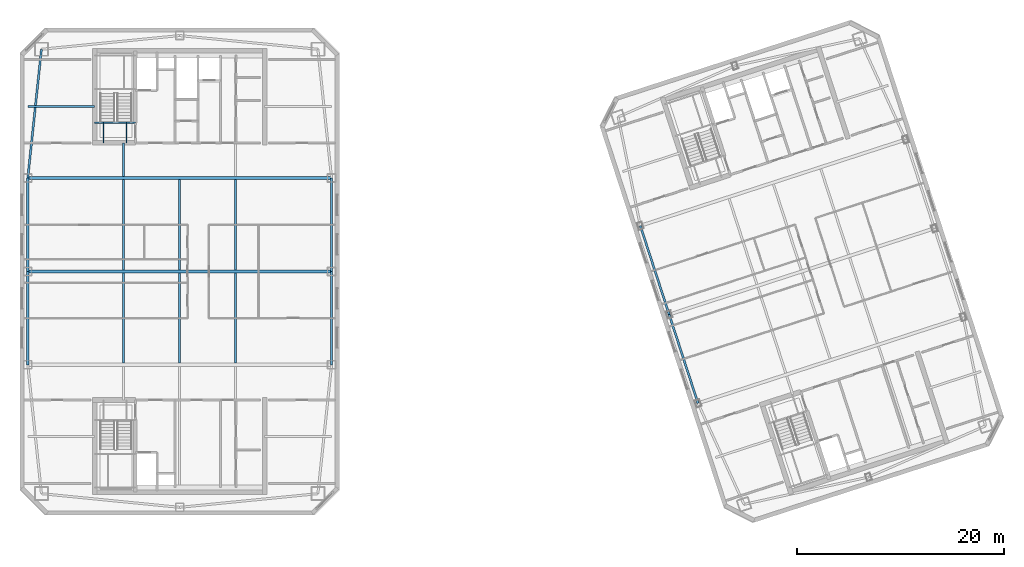
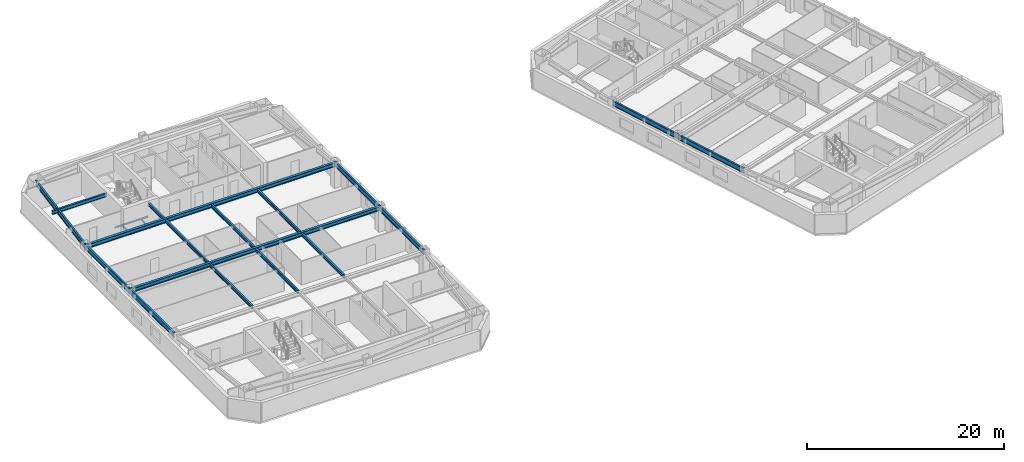
# One storey, part 5 of 20: 20 beams.
"""IFC4 building model written with IfcOpenShell, lengths in metres."""

import ifcopenshell
import ifcopenshell.guid

model = None  # the IFC model being written
_history = None  # IfcOwnerHistory: only IFC2X3 demands one
_inside = {}  # id of a spatial element -> (the spatial element, [elements in it])
_under = {}  # id of a project, library or spatial element -> (it, [spatial elements below it])
_declared = {}  # id of a project -> (the project, [libraries it declares])
_typed = {}  # id of a type object -> (the type object, [elements of that type])
_made_of = {}  # id of a material, layer set ... -> (it, [elements and type objects made of it])


def new_model(schema):
    """Start an empty IFC model of exactly this schema.

    Asked for "IFC4X3", IfcOpenShell would pick the latest addendum, in which some entities
    have other attributes; the version numbers below select the first issue.
    IFC2X3 requires an IfcOwnerHistory on every rooted entity: one is made here for all.
    """
    global model, _history
    if schema == "IFC4X3":
        model = ifcopenshell.file(schema_version=(4, 3, 0, 0))
    else:
        model = ifcopenshell.file(schema=schema)
    _inside.clear()
    _under.clear()
    _declared.clear()
    _typed.clear()
    _made_of.clear()
    _history = None
    if model.schema == "IFC2X3":
        org = make("IfcOrganization", Name="unknown")
        user = make(
            "IfcPersonAndOrganization",
            ThePerson=make("IfcPerson", FamilyName="unknown"),
            TheOrganization=org,
        )
        app = make(
            "IfcApplication",
            ApplicationDeveloper=org,
            Version="unknown",
            ApplicationFullName="unknown",
            ApplicationIdentifier="unknown",
        )
        _history = make(
            "IfcOwnerHistory",
            OwningUser=user,
            OwningApplication=app,
            ChangeAction="ADDED",
            CreationDate=0,
        )
    return model


def make(cls, **values):
    """One entity of the class cls with the attributes given. An attribute that is None is left unset."""
    return model.create_entity(
        cls, **{name: value for name, value in values.items() if value is not None}
    )


def rooted(cls, **values):
    """An entity with a GlobalId (a new one), such as an element, a storey or a relation."""
    return make(cls, GlobalId=ifcopenshell.guid.new(), OwnerHistory=_history, **values)


def si_unit(unit_type, name, prefix=None):
    """IfcSIUnit, for example si_unit("LENGTHUNIT", "METRE", prefix="MILLI")."""
    return make("IfcSIUnit", UnitType=unit_type, Prefix=prefix, Name=name)


def assignment(units):
    """IfcUnitAssignment: the units of a project."""
    return None if units is None else make("IfcUnitAssignment", Units=units)


def point(xyz):
    """IfcCartesianPoint."""
    return None if xyz is None else make("IfcCartesianPoint", Coordinates=xyz)


def direction(xyz):
    """IfcDirection."""
    return None if xyz is None else make("IfcDirection", DirectionRatios=xyz)


def frame(location, z_axis=None, x_axis=None):
    """IfcAxis2Placement3D, a coordinate frame: its origin and axes. An axis left out is left unset."""
    return make(
        "IfcAxis2Placement3D",
        Location=point(location),
        Axis=direction(z_axis),
        RefDirection=direction(x_axis),
    )


def frame_2d(location, x_axis=None):
    """IfcAxis2Placement2D, a coordinate frame in the plane: its origin and x axis."""
    return make(
        "IfcAxis2Placement2D", Location=point(location), RefDirection=direction(x_axis)
    )


def origin():
    """The frame at (0, 0, 0) with its axes left unset."""
    return frame((0.0, 0.0, 0.0))


def origin_2d():
    """The frame at (0, 0) in the plane with its x axis left unset."""
    return frame_2d((0.0, 0.0))


def place(relative_to, where):
    """IfcLocalPlacement: puts the frame where relative to a parent placement (None: the world)."""
    return make(
        "IfcLocalPlacement", PlacementRelTo=relative_to, RelativePlacement=where
    )


def context(
    kind, dimensions, precision=None, world=None, true_north=None, identifier=None
):
    """IfcGeometricRepresentationContext, for example the 3D "Model" context."""
    return make(
        "IfcGeometricRepresentationContext",
        ContextIdentifier=identifier,
        ContextType=kind,
        CoordinateSpaceDimension=dimensions,
        Precision=precision,
        WorldCoordinateSystem=world,
        TrueNorth=true_north,
    )


def subcontext(parent, identifier, kind, view, scale=None):
    """IfcGeometricRepresentationSubContext, for example "Body" below "Model"."""
    return make(
        "IfcGeometricRepresentationSubContext",
        ContextIdentifier=identifier,
        ContextType=kind,
        ParentContext=parent,
        TargetScale=scale,
        TargetView=view,
    )


def project(units=None, contexts=None):
    """IfcProject with its units and contexts."""
    return rooted(
        "IfcProject",
        Name="project",
        RepresentationContexts=contexts,
        UnitsInContext=assignment(units),
    )


def spatial(cls, under=None, at=None, **own):
    """A site, building, storey or space (cls), placed at a placement, below another one or the project."""
    s = rooted(cls, ObjectPlacement=at, **own)
    if under is not None:
        _under.setdefault(under.id(), (under, []))[1].append(s)
    return s


def profile(cls, at=None, kind="AREA", **sizes):
    """A parametric profile (cls). Its sizes go by their IFC names, for example OverallWidth=200.0."""
    return make(cls, ProfileType=kind, Position=at, **sizes)


def i_section(**sizes):
    """IfcIShapeProfileDef."""
    return profile("IfcIShapeProfileDef", **sizes)


def extrude(swept, where, along, depth):
    """IfcExtrudedAreaSolid: the profile swept, set in the frame where, extruded along a direction by depth."""
    return make(
        "IfcExtrudedAreaSolid",
        SweptArea=swept,
        Position=where,
        ExtrudedDirection=direction(along),
        Depth=depth,
    )


def shape(context_of_items, identifier, shape_type, items):
    """IfcShapeRepresentation: the items that make up one representation, for example the "Body"."""
    return make(
        "IfcShapeRepresentation",
        ContextOfItems=context_of_items,
        RepresentationIdentifier=identifier,
        RepresentationType=shape_type,
        Items=items,
    )


def material(Name=None, Category=None):
    """IfcMaterial."""
    return make("IfcMaterial", Name=Name, Category=Category)


def material_profile(
    of_material, cross_section, Name=None, Category=None, Priority=None
):
    """IfcMaterialProfile: a cross section and its material."""
    return make(
        "IfcMaterialProfile",
        Name=Name,
        Material=of_material,
        Profile=cross_section,
        Priority=Priority,
        Category=Category,
    )


def profile_set(profiles, Name=None, composite=None):
    """IfcMaterialProfileSet."""
    return make(
        "IfcMaterialProfileSet",
        Name=Name,
        MaterialProfiles=profiles,
        CompositeProfile=composite,
    )


def made_of(thing, what):
    """Note that an element or type object is made of a material, layer set ...; save() writes the relation."""
    if what is not None:
        _made_of.setdefault(what.id(), (what, []))[1].append(thing)
    return thing


def type_object(cls, material=None, **own):
    """A type object (cls), such as IfcWallType, which elements share."""
    return made_of(rooted(cls, **own), material)


def element(
    cls,
    number,
    at=None,
    inside=None,
    cuts=None,
    type_object=None,
    material=None,
    context=None,
    identifier="Body",
    shape_type=None,
    held_by="IfcProductDefinitionShape",
    body=None,
    shapes=None,
    **own,
):
    """One element of the class cls, such as IfcWall. Its Tag is "e" and its number.

    at: its placement. inside: the storey or other place that contains it. cuts: it is an
    opening in that element (IfcRelVoidsElement). A single representation is given by context,
    identifier, shape_type and body (its items); several are given by shapes. held_by: the class
    of the entity that holds the representations. save() writes the other relations.
    """
    e = rooted(cls, Tag="e%d" % number, ObjectPlacement=at, **own)
    if body is not None:
        shapes = [shape(context, identifier, shape_type, body)]
    if shapes is not None:
        e.Representation = make(held_by, Representations=shapes)
    if inside is not None:
        _inside.setdefault(inside.id(), (inside, []))[1].append(e)
    if cuts is not None:
        rooted(
            "IfcRelVoidsElement", RelatingBuildingElement=cuts, RelatedOpeningElement=e
        )
    if type_object is not None:
        _typed.setdefault(type_object.id(), (type_object, []))[1].append(e)
    return made_of(e, material)


def aggregate(whole, parts):
    """IfcRelAggregates: a whole, such as a stair, and the parts it consists of."""
    return rooted("IfcRelAggregates", RelatingObject=whole, RelatedObjects=parts)


def save(model, path):
    """Write the relations noted so far, then the file.

    IfcRelAggregates (storeys below a building ...), IfcRelContainedInSpatialStructure (elements
    in a storey), IfcRelDefinesByType, IfcRelAssociatesMaterial and IfcRelDeclares: one each for
    every whole, place, type object, material and project.
    """
    for whole, parts in _under.values():
        aggregate(whole, parts)
    for where, things in _inside.values():
        rooted(
            "IfcRelContainedInSpatialStructure",
            RelatedElements=things,
            RelatingStructure=where,
        )
    for kind, things in _typed.values():
        rooted("IfcRelDefinesByType", RelatedObjects=things, RelatingType=kind)
    for what, things in _made_of.values():
        rooted("IfcRelAssociatesMaterial", RelatedObjects=things, RelatingMaterial=what)
    for by, libraries in _declared.values():
        rooted("IfcRelDeclares", RelatingContext=by, RelatedDefinitions=libraries)
    model.write(path)


model = new_model("IFC4")

# Units and contexts
model_context = context("Model", 3, precision=1e-05, world=origin(), true_north=direction((0.0, 1.0)))
body_context = subcontext(model_context, "Body", "Model", "MODEL_VIEW")
ifc_project = project(units=[si_unit("LENGTHUNIT", "METRE"), si_unit("AREAUNIT", "SQUARE_METRE"), si_unit("VOLUMEUNIT", "CUBIC_METRE"), si_unit("PLANEANGLEUNIT", "RADIAN"), si_unit("MASSUNIT", "GRAM", prefix="KILO")], contexts=[model_context])

# Site, building, storey
site_placement = place(None, origin())
site = spatial("IfcSite", under=ifc_project, at=site_placement, CompositionType="ELEMENT")
building_placement = place(site_placement, origin())
building = spatial("IfcBuilding", under=site, at=building_placement, Name="Qiaolan Cultural Towers", CompositionType="ELEMENT")
storey_placement = place(building_placement, frame((0.0, 0.0, 244.0)))
storey = spatial("IfcBuildingStorey", under=building, at=storey_placement, Name="L66", CompositionType="ELEMENT", Elevation=244.0)

# Beams
ifc_material_1 = material(Name="Steel Q355B", Category="steel")
ifc_material_profile_1 = material_profile(ifc_material_1, i_section(OverallWidth=0.300048828125, OverallDepth=0.488037109375, WebThickness=0.010986328125, FlangeThickness=0.01806640625, at=origin_2d()), Name="HM488x300x11x18")
ifc_profile_set_1 = profile_set([ifc_material_profile_1], Name="Steel Q355B")
beam_type_1 = type_object("IfcBeamType", Name="BM-HM488x300x11x18", PredefinedType="BEAM", material=ifc_profile_set_1)
for number, where, z_axis, x_axis, name in (
    (1, (15.35009765625, 34.0, 2.696044921875), (1.0, 0.0, 0.0), (0.0, 1.0, 0.0), "L66 T1 Primary Transverse Girder V2"),
    (2, (15.35009765625, 43.0, 2.696044921875), (1.0, 0.0, 0.0), (0.0, 1.0, 0.0), "L66 T1 Primary Transverse Girder V3"),
):
    element("IfcBeam", number, at=place(storey_placement, frame(where, z_axis=z_axis, x_axis=x_axis)), inside=storey, type_object=beam_type_1, Name=name, PredefinedType="BEAM", context=body_context, shape_type="SweptSolid", body=[
        extrude(i_section(OverallWidth=0.300048828125, OverallDepth=0.488037109375, WebThickness=0.010986328125, FlangeThickness=0.01806640625, at=origin_2d()), origin(), (0.0, 0.0, 1.0), 29.2998046875),
    ])
ifc_material_2 = material(Name="Steel Q355B", Category="steel")
ifc_material_profile_2 = material_profile(ifc_material_2, i_section(OverallWidth=0.199951171875, OverallDepth=0.39990234375, WebThickness=0.008056640625, FlangeThickness=0.012939453125, at=origin_2d()), Name="HN400x200x8x13")
ifc_profile_set_2 = profile_set([ifc_material_profile_2], Name="Steel Q355B")
beam_type_2 = type_object("IfcBeamType", Name="BM-JST-HN400x200x8x13", PredefinedType="JOIST", material=ifc_profile_set_2)
for number, where, z_axis, x_axis, name in (
    (3, (24.60009765625, 25.14990234375, 2.739990234375), (0.0, 1.0, 0.0), (-1.0, 0.0, 0.0), "L66 T1 Secondary Floor Joist U1-2"),
    (4, (24.60009765625, 34.14990234375, 2.739990234375), (0.0, 1.0, 0.0), (-1.0, 0.0, 0.0), "L66 T1 Secondary Floor Joist U1-3"),
):
    element("IfcBeam", number, at=place(storey_placement, frame(where, z_axis=z_axis, x_axis=x_axis)), inside=storey, type_object=beam_type_2, Name=name, PredefinedType="JOIST", context=body_context, shape_type="SweptSolid", body=[
        extrude(i_section(OverallWidth=0.199951171875, OverallDepth=0.39990234375, WebThickness=0.008056640625, FlangeThickness=0.012939453125, at=origin_2d()), origin(), (0.0, 0.0, 1.0), 8.7001953125),
    ])
beam_1_placement = place(storey_placement, frame((24.60009765625, 43.14990234375, 2.739990234375), z_axis=(0.0, 1.0, 0.0), x_axis=(-1.0, 0.0, 0.0)))
element("IfcBeam", 5, at=beam_1_placement, inside=storey, type_object=beam_type_2, Name="L66 T1 Secondary Floor Joist U1-4", PredefinedType="JOIST", context=body_context, shape_type="SweptSolid", body=[
    extrude(i_section(OverallWidth=0.199951171875, OverallDepth=0.39990234375, WebThickness=0.008056640625, FlangeThickness=0.012939453125, at=origin_2d()), origin(), (0.0, 0.0, 1.0), 3.25),
])
for number, where, z_axis, x_axis, name in (
    (6, (30.0, 25.14990234375, 2.739990234375), (0.0, 1.0, 0.0), (-1.0, 0.0, 0.0), "L66 T1 Secondary Floor Joist U2-2"),
    (7, (30.0, 34.14990234375, 2.739990234375), (0.0, 1.0, 0.0), (-1.0, 0.0, 0.0), "L66 T1 Secondary Floor Joist U2-3"),
    (8, (35.39990234375, 25.14990234375, 2.739990234375), (0.0, 1.0, 0.0), (-1.0, 0.0, 0.0), "L66 T1 Secondary Floor Joist U3-2"),
    (9, (35.39990234375, 34.14990234375, 2.739990234375), (0.0, 1.0, 0.0), (-1.0, 0.0, 0.0), "L66 T1 Secondary Floor Joist U3-3"),
):
    element("IfcBeam", number, at=place(storey_placement, frame(where, z_axis=z_axis, x_axis=x_axis)), inside=storey, type_object=beam_type_2, Name=name, PredefinedType="JOIST", context=body_context, shape_type="SweptSolid", body=[
        extrude(i_section(OverallWidth=0.199951171875, OverallDepth=0.39990234375, WebThickness=0.008056640625, FlangeThickness=0.012939453125, at=origin_2d()), origin(), (0.0, 0.0, 1.0), 8.7001953125),
    ])
ifc_material_3 = material(Name="Steel Q355B", Category="steel")
ifc_material_profile_3 = material_profile(ifc_material_3, i_section(OverallWidth=0.199951171875, OverallDepth=0.449951171875, WebThickness=0.009033203125, FlangeThickness=0.013916015625, at=origin_2d()), Name="HN450x200x9x14")
ifc_profile_set_3 = profile_set([ifc_material_profile_3], Name="Steel Q355B")
beam_type_3 = type_object("IfcBeamType", Name="BM-LNT-HN450x200x9x14", PredefinedType="LINTEL", material=ifc_profile_set_3)
beam_2_placement = place(storey_placement, frame((21.800048828125, 49.89990234375, 2.715087890625), z_axis=(-1.0, 0.0, 0.0), x_axis=(0.0, -1.0, 0.0)))
element("IfcBeam", 10, at=beam_2_placement, inside=storey, type_object=beam_type_3, Name="L66 T1 Core Flank Tie Lintel WN", PredefinedType="LINTEL", context=body_context, shape_type="SweptSolid", body=[
    extrude(i_section(OverallWidth=0.199951171875, OverallDepth=0.449951171875, WebThickness=0.009033203125, FlangeThickness=0.013916015625, at=origin_2d()), origin(), (0.0, 0.0, 1.0), 6.449951171875),
])
ifc_material_4 = material(Name="Steel Q355B", Category="steel")
ifc_material_profile_4 = material_profile(ifc_material_4, i_section(OverallWidth=0.199951171875, OverallDepth=0.60009765625, WebThickness=0.010986328125, FlangeThickness=0.01708984375, at=origin_2d()), Name="HN600x200x11x17")
ifc_profile_set_4 = profile_set([ifc_material_profile_4], Name="Steel Q355B")
beam_type_4 = type_object("IfcBeamType", Name="BM-SPD-HN600x200x11x17", PredefinedType="SPANDREL", material=ifc_profile_set_4)
for number, where, z_axis, x_axis, name in (
    (11, (44.64990234375, 25.0, 2.639892578125), (0.0, 1.0, 0.0), (-1.0, 0.0, 0.0), "L66 T1 Perimeter Spandrel Beam 4"),
    (12, (44.64990234375, 34.0, 2.639892578125), (0.0, 1.0, 0.0), (-1.0, 0.0, 0.0), "L66 T1 Perimeter Spandrel Beam 5"),
):
    element("IfcBeam", number, at=place(storey_placement, frame(where, z_axis=z_axis, x_axis=x_axis)), inside=storey, type_object=beam_type_4, Name=name, PredefinedType="SPANDREL", context=body_context, shape_type="SweptSolid", body=[
        extrude(i_section(OverallWidth=0.199951171875, OverallDepth=0.60009765625, WebThickness=0.010986328125, FlangeThickness=0.01708984375, at=origin_2d()), origin(), (0.0, 0.0, 1.0), 9.0),
    ])
beam_3_placement = place(storey_placement, frame((16.669921875, 55.429931640625, 2.639892578125), z_axis=(-0.105587580773, -0.994410007384, 0.0), x_axis=(0.994410007384, -0.105587580773, 0.0)))
element("IfcBeam", 13, at=beam_3_placement, inside=storey, type_object=beam_type_4, Name="L66 T1 Perimeter Spandrel Beam 9", PredefinedType="SPANDREL", context=body_context, shape_type="SweptSolid", body=[
    extrude(i_section(OverallWidth=0.199951171875, OverallDepth=0.60009765625, WebThickness=0.010986328125, FlangeThickness=0.01708984375, at=origin_2d()), origin(), (0.0, 0.0, 1.0), 12.499755859375),
])
for number, where, z_axis, x_axis, name in (
    (14, (15.35009765625, 43.0, 2.639892578125), (0.0, -1.0, 0.0), (1.0, 0.0, 0.0), "L66 T1 Perimeter Spandrel Beam 10"),
    (15, (15.35009765625, 34.0, 2.639892578125), (0.0, -1.0, 0.0), (1.0, 0.0, 0.0), "L66 T1 Perimeter Spandrel Beam 11"),
    (16, (74.42724609375, 38.4033203125, 2.639892578125), (0.309000197986, -0.951061973609, 0.0), (0.951061973609, 0.309000197986, 0.0), "L66 T2 Perimeter Spandrel Beam 10"),
    (17, (77.208251953125, 29.84375, 2.639892578125), (0.309024734286, -0.951054001411, 0.0), (0.951054001411, 0.309024734286, 0.0), "L66 T2 Perimeter Spandrel Beam 11"),
):
    element("IfcBeam", number, at=place(storey_placement, frame(where, z_axis=z_axis, x_axis=x_axis)), inside=storey, type_object=beam_type_4, Name=name, PredefinedType="SPANDREL", context=body_context, shape_type="SweptSolid", body=[
        extrude(i_section(OverallWidth=0.199951171875, OverallDepth=0.60009765625, WebThickness=0.010986328125, FlangeThickness=0.01708984375, at=origin_2d()), origin(), (0.0, 0.0, 1.0), 9.0),
    ])
ifc_material_5 = material(Name="Steel Q355B", Category="steel")
ifc_material_profile_5 = material_profile(ifc_material_5, i_section(OverallWidth=0.10009765625, OverallDepth=0.199951171875, WebThickness=0.005615234375, FlangeThickness=0.008056640625, at=origin_2d()), Name="HN200x100x5.5x8")
ifc_profile_set_5 = profile_set([ifc_material_profile_5], Name="Steel Q355B")
beam_type_5 = type_object("IfcBeamType", Name="BM-STTRIM-200", PredefinedType="BEAM", material=ifc_profile_set_5)
beam_4_placement = place(storey_placement, frame((21.800048828125, 48.340087890625, -0.4599609375), z_axis=(1.0, 0.0, 0.0), x_axis=(0.0, 1.0, 0.0)))
element("IfcBeam", 18, at=beam_4_placement, inside=storey, type_object=beam_type_5, Name="L66 ST-W2 Floor Landing Header Beam", PredefinedType="BEAM", context=body_context, shape_type="SweptSolid", body=[
    extrude(i_section(OverallWidth=0.10009765625, OverallDepth=0.199951171875, WebThickness=0.005615234375, FlangeThickness=0.008056640625, at=origin_2d()), origin(), (0.0, 0.0, 1.0), 3.919921875),
])
for number, where, z_axis, x_axis, name in (
    (19, (22.64990234375, 46.39990234375, -0.4599609375), (0.0, 1.0, 0.0), (-1.0, 0.0, 0.0), "L66 ST-W2 Floor Landing Stringer 1"),
    (20, (24.85009765625, 46.39990234375, -0.4599609375), (0.0, 1.0, 0.0), (-1.0, 0.0, 0.0), "L66 ST-W2 Floor Landing Stringer 2"),
):
    element("IfcBeam", number, at=place(storey_placement, frame(where, z_axis=z_axis, x_axis=x_axis)), inside=storey, type_object=beam_type_5, Name=name, PredefinedType="BEAM", context=body_context, shape_type="SweptSolid", body=[
        extrude(i_section(OverallWidth=0.10009765625, OverallDepth=0.199951171875, WebThickness=0.005615234375, FlangeThickness=0.008056640625, at=origin_2d()), origin(), (0.0, 0.0, 1.0), 1.940185546875),
    ])

save(model, "model.ifc")
